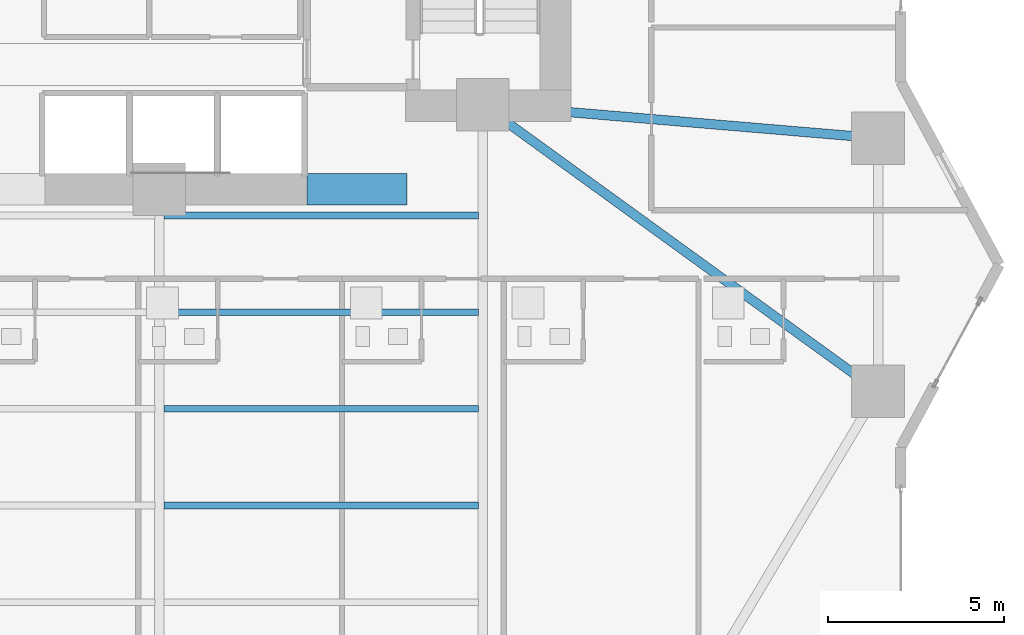
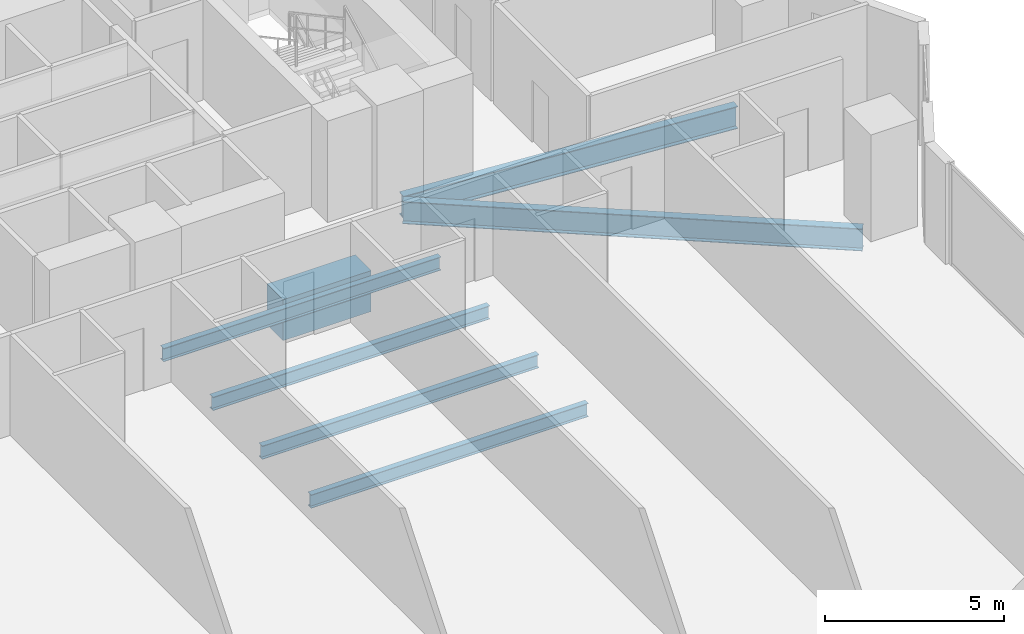
# One storey, part 11 of 28: 7 beams.
"""IFC4 building model written with IfcOpenShell, lengths in metres."""

from ifc_helpers import new_model, si_unit, direction, frame, origin, origin_2d, place, context, subcontext, project, spatial, rectangle, i_section, extrude, material, material_profile, profile_set, type_object, element, save


model = new_model("IFC4")

# Units and contexts
model_context = context("Model", 3, precision=1e-05, world=origin(), true_north=direction((0.0, 1.0)))
body_context = subcontext(model_context, "Body", "Model", "MODEL_VIEW")
ifc_project = project(units=[si_unit("LENGTHUNIT", "METRE"), si_unit("AREAUNIT", "SQUARE_METRE"), si_unit("VOLUMEUNIT", "CUBIC_METRE"), si_unit("PLANEANGLEUNIT", "RADIAN"), si_unit("MASSUNIT", "GRAM", prefix="KILO")], contexts=[model_context])

# Site, building, storey
site_placement = place(None, origin())
site = spatial("IfcSite", under=ifc_project, at=site_placement, CompositionType="ELEMENT")
building_placement = place(site_placement, origin())
building = spatial("IfcBuilding", under=site, at=building_placement, Name="Zuhayl Quay Hotel", CompositionType="ELEMENT")
storey_placement = place(building_placement, frame((0.0, 0.0, 31.25)))
storey = spatial("IfcBuildingStorey", under=building, at=storey_placement, Name="L06", CompositionType="ELEMENT", Elevation=31.25)

# Beams
ifc_material_1 = material(Name="Steel ASTM A992 Grade 50", Category="steel")
ifc_material_profile_1 = material_profile(ifc_material_1, i_section(OverallWidth=0.26708984375, OverallDepth=0.761962890625, WebThickness=0.014404296875, FlangeThickness=0.021484375, at=origin_2d()), Name="W30X116")
ifc_profile_set_1 = profile_set([ifc_material_profile_1], Name="Steel ASTM A992 Grade 50")
beam_type_1 = type_object("IfcBeamType", Name="BM_B1_W30X116", PredefinedType="BEAM", material=ifc_profile_set_1)
beam_1_placement = place(storey_placement, frame((14.164306640625, 4.285888671875, -0.60107421875), z_axis=(0.809830244688, -0.586664277751, 0.0), x_axis=(0.586664277751, 0.809830244688, 0.0)))
element("IfcBeam", 1, at=beam_1_placement, inside=storey, type_object=beam_type_1, Name="L06 Floor Beam FG_E_L06_1", PredefinedType="BEAM", context=body_context, shape_type="SweptSolid", body=[
    extrude(i_section(OverallWidth=0.26708984375, OverallDepth=0.761962890625, WebThickness=0.014404296875, FlangeThickness=0.021484375, at=origin_2d()), origin(), (0.0, 0.0, 1.0), 12.94189453125),
])
beam_2_placement = place(storey_placement, frame((14.248291015625, 4.51220703125, -0.60107421875), z_axis=(0.996453145398, -0.084149444594, 0.0), x_axis=(0.084149444594, 0.996453145398, 0.0)))
element("IfcBeam", 2, at=beam_2_placement, inside=storey, type_object=beam_type_1, Name="L06 Floor Beam FG_E_L06_2", PredefinedType="BEAM", context=body_context, shape_type="SweptSolid", body=[
    extrude(i_section(OverallWidth=0.26708984375, OverallDepth=0.761962890625, WebThickness=0.014404296875, FlangeThickness=0.021484375, at=origin_2d()), origin(), (0.0, 0.0, 1.0), 10.340087890625),
])
ifc_material_2 = material(Name="Concrete C60/75", Category="concrete")
ifc_material_profile_2 = material_profile(ifc_material_2, rectangle(XDim=0.89990234375, YDim=1.39990234375, at=origin_2d()), Name="RC900X1400")
ifc_profile_set_2 = profile_set([ifc_material_profile_2], Name="Concrete C60/75")
beam_type_2 = type_object("IfcBeamType", Name="BM_CB1_RC900", PredefinedType="T_BEAM", material=ifc_profile_set_2)
beam_3_placement = place(storey_placement, frame((8.800048828125, 2.14990234375, -0.919921875), z_axis=(1.0, 0.0, 0.0), x_axis=(0.0, 1.0, 0.0)))
element("IfcBeam", 3, at=beam_3_placement, inside=storey, type_object=beam_type_2, Name="L06 Core Coupling Beam SE", PredefinedType="T_BEAM", context=body_context, shape_type="SweptSolid", body=[
    extrude(rectangle(XDim=0.89990234375, YDim=1.39990234375, at=origin_2d()), origin(), (0.0, 0.0, 1.0), 2.849853515625),
])
ifc_material_profile_3 = material_profile(ifc_material_1, i_section(OverallWidth=0.18994140625, OverallDepth=0.45703125, WebThickness=0.009033203125, FlangeThickness=0.014404296875, at=origin_2d()), Name="W18X50")
ifc_profile_set_3 = profile_set([ifc_material_profile_3], Name="Steel ASTM A992 Grade 50")
beam_type_3 = type_object("IfcBeamType", Name="BM_J2_W18X50", PredefinedType="JOIST", material=ifc_profile_set_3)
for number, where, z_axis, x_axis, name in (
    (4, (4.7255859375, -6.85009765625, -0.448486328125), (1.0, 0.0, 0.0), (0.0, 1.0, 0.0), "L06 Floor Beam FJ_L06_7_3"),
    (5, (4.7255859375, -4.10009765625, -0.448486328125), (1.0, 0.0, 0.0), (0.0, 1.0, 0.0), "L06 Floor Beam FJ_L06_8_3"),
    (6, (4.7255859375, -1.35009765625, -0.448486328125), (1.0, 0.0, 0.0), (0.0, 1.0, 0.0), "L06 Floor Beam FJ_L06_9_3"),
    (7, (4.7255859375, 1.39990234375, -0.448486328125), (1.0, 0.0, 0.0), (0.0, 1.0, 0.0), "L06 Floor Beam FJ_L06_10_3"),
):
    element("IfcBeam", number, at=place(storey_placement, frame(where, z_axis=z_axis, x_axis=x_axis)), inside=storey, type_object=beam_type_3, Name=name, PredefinedType="JOIST", context=body_context, shape_type="SweptSolid", body=[
        extrude(i_section(OverallWidth=0.18994140625, OverallDepth=0.45703125, WebThickness=0.009033203125, FlangeThickness=0.014404296875, at=origin_2d()), origin(), (0.0, 0.0, 1.0), 8.948974609375),
    ])

save(model, "model.ifc")
